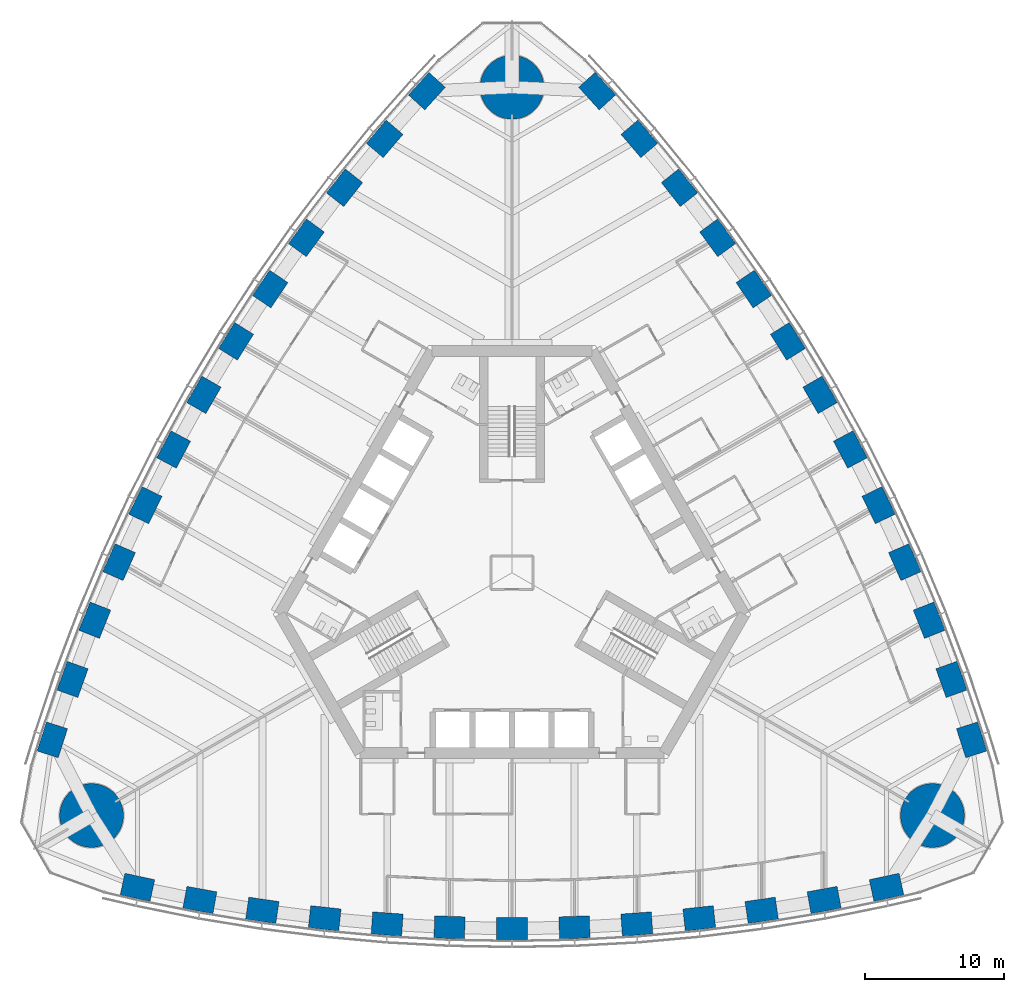
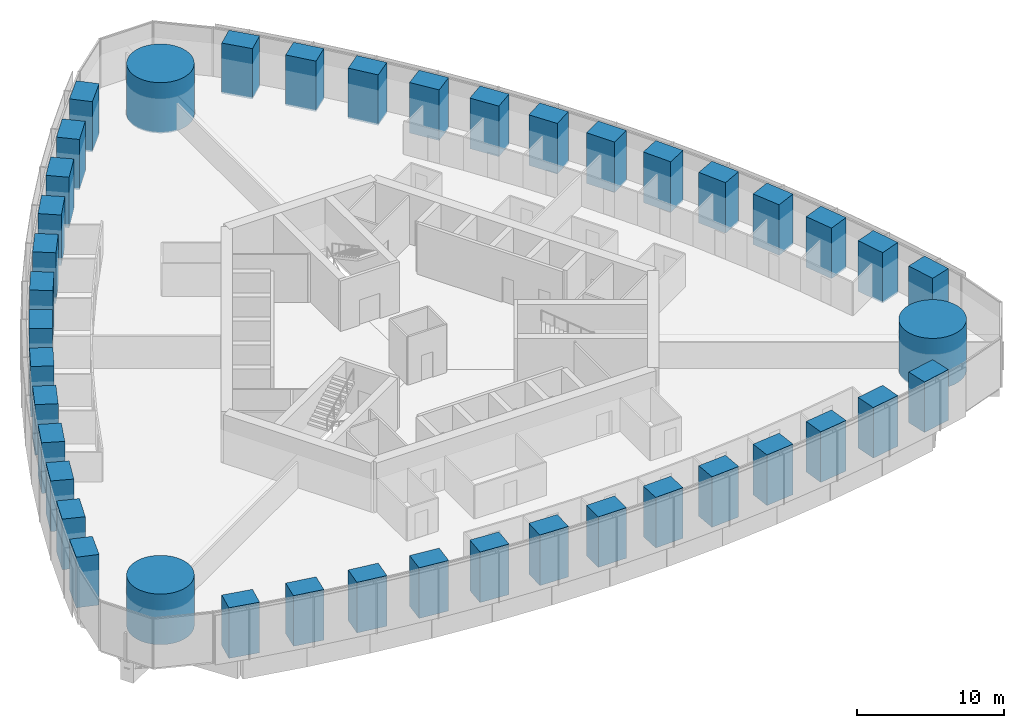
# One storey, part 1 of 19: 42 columns.
"""IFC4 building model written with IfcOpenShell, lengths in metres."""

from ifc_helpers import new_model, si_unit, direction, frame, origin, origin_2d, place, context, subcontext, project, spatial, rectangle, circle, extrude, material, material_profile, profile_set, type_object, element, save


model = new_model("IFC4")

# Units and contexts
model_context = context("Model", 3, precision=1e-05, world=origin(), true_north=direction((0.0, 1.0)))
body_context = subcontext(model_context, "Body", "Model", "MODEL_VIEW")
ifc_project = project(units=[si_unit("LENGTHUNIT", "METRE"), si_unit("AREAUNIT", "SQUARE_METRE"), si_unit("VOLUMEUNIT", "CUBIC_METRE"), si_unit("PLANEANGLEUNIT", "RADIAN"), si_unit("MASSUNIT", "GRAM", prefix="KILO")], contexts=[model_context])

# Site, building, storey
site_placement = place(None, origin())
site = spatial("IfcSite", under=ifc_project, at=site_placement, CompositionType="ELEMENT")
building_placement = place(site_placement, origin())
building = spatial("IfcBuilding", under=site, at=building_placement, Name="Trefoil Bronze Tower", CompositionType="ELEMENT")
storey_placement = place(building_placement, frame((0.0, 0.0, 107.300048828125)))
storey = spatial("IfcBuildingStorey", under=building, at=storey_placement, Name="L24", CompositionType="ELEMENT", Elevation=107.300048828125)

# Columns
ifc_material_1 = material(Name="Concrete B80", Category="concrete")
ifc_material_profile_1 = material_profile(ifc_material_1, circle(Radius=2.300048828125, at=origin_2d()), Name="RC D4600")
ifc_profile_set_1 = profile_set([ifc_material_profile_1], Name="Concrete B80")
column_type_1 = type_object("IfcColumnType", Name="Mega column RC D4600", PredefinedType="COLUMN", material=ifc_profile_set_1)
for number, where, z_axis, x_axis, name in (
    (1, (30.310791015625, -17.5, 0.0), (0.0, 0.0, 1.0), (1.0, 0.0, 0.0), "Mega column K1 L24"),
    (2, (0.0, 35.0, 0.0), (0.0, 0.0, 1.0), (1.0, 0.0, 0.0), "Mega column K2 L24"),
    (3, (-30.310791015625, -17.5, 0.0), (0.0, 0.0, 1.0), (1.0, 0.0, 0.0), "Mega column K3 L24"),
):
    element("IfcColumn", number, at=place(storey_placement, frame(where, z_axis=z_axis, x_axis=x_axis)), inside=storey, type_object=column_type_1, Name=name, PredefinedType="COLUMN", context=body_context, shape_type="SweptSolid", body=[
        extrude(circle(Radius=2.300048828125, at=origin_2d()), origin(), (0.0, 0.0, 1.0), 4.199951171875),
    ])
ifc_material_2 = material(Name="Concrete B80", Category="concrete")
ifc_material_profile_2 = material_profile(ifc_material_2, rectangle(XDim=2.199951171875, YDim=1.60009765625, at=origin_2d()), Name="RC 2200x1600")
ifc_profile_set_2 = profile_set([ifc_material_profile_2], Name="Concrete B80")
column_type_2 = type_object("IfcColumnType", Name="Tube column RC 2200x1600", PredefinedType="COLUMN", material=ifc_profile_set_2)
for number, where, z_axis, x_axis, name in (
    (4, (-27.0, -22.67724609375, 0.0), (0.0, 0.0, 1.0), (0.977276081214, -0.21197042503, 0.0), "Tube column F1/-6 L24"),
    (5, (-22.5, -23.592529296875, 0.0), (0.0, 0.0, 1.0), (0.98362250613, -0.180240853954, 0.0), "Tube column F1/-5 L24"),
    (6, (-18.0, -24.337158203125, 0.0), (0.0, 0.0, 1.0), (0.989549714366, -0.144192103798, 0.0), "Tube column F1/-4 L24"),
    (7, (-13.5, -24.9130859375, 0.0), (0.0, 0.0, 1.0), (0.994135267447, -0.108143747013, 0.0), "Tube column F1/-3 L24"),
    (8, (-9.0, -25.32275390625, 0.0), (0.0, 0.0, 1.0), (0.997397720802, -0.072095676284, 0.0), "Tube column F1/-2 L24"),
    (9, (-4.5, -25.568115234375, 0.0), (0.0, 0.0, 1.0), (0.999350067136, -0.036047792107, 0.0), "Tube column F1/-1 L24"),
    (10, (0.0, -25.649658203125, 0.0), (0.0, 0.0, 1.0), (1.0, 0.0, 0.0), "Tube column F1/+0 L24"),
    (11, (4.5, -25.568115234375, 0.0), (0.0, 0.0, 1.0), (0.999350067136, 0.036047792107, 0.0), "Tube column F1/+1 L24"),
    (12, (9.0, -25.32275390625, 0.0), (0.0, 0.0, 1.0), (0.997397720802, 0.072095676284, 0.0), "Tube column F1/+2 L24"),
    (13, (13.5, -24.9130859375, 0.0), (0.0, 0.0, 1.0), (0.994135267447, 0.108143747013, 0.0), "Tube column F1/+3 L24"),
    (14, (18.0, -24.337158203125, 0.0), (0.0, 0.0, 1.0), (0.989549714366, 0.144192103798, 0.0), "Tube column F1/+4 L24"),
    (15, (22.5, -23.592529296875, 0.0), (0.0, 0.0, 1.0), (0.98362250613, 0.180240853954, 0.0), "Tube column F1/+5 L24"),
    (16, (27.0, -22.67724609375, 0.0), (0.0, 0.0, 1.0), (0.977276081214, 0.21197042503, 0.0), "Tube column F1/+6 L24"),
    (17, (33.13916015625, -12.044189453125, 0.0), (0.0, 0.0, 1.0), (-0.30506626768, 0.952331125357, 0.0), "Tube column F2/-6 L24"),
    (18, (31.681884765625, -7.689208984375, 0.0), (0.0, 0.0, 1.0), (-0.335718094742, 0.94196250502, 0.0), "Tube column F2/-5 L24"),
    (19, (30.07666015625, -3.419921875, 0.0), (0.0, 0.0, 1.0), (-0.369900832269, 0.929071242848, 0.0), "Tube column F2/-4 L24"),
    (20, (28.325439453125, 0.76513671875, 0.0), (0.0, 0.0, 1.0), (-0.40341240155, 0.915018269914, 0.0), "Tube column F2/-3 L24"),
    (21, (26.43017578125, 4.8671875, 0.0), (0.0, 0.0, 1.0), (-0.436262173236, 0.899819602033, 0.0), "Tube column F2/-2 L24"),
    (22, (24.392578125, 8.886962890625, 0.0), (0.0, 0.0, 1.0), (-0.468456729853, 0.883486441467, 0.0), "Tube column F2/-1 L24"),
    (23, (22.21337890625, 12.824951171875, 0.0), (0.0, 0.0, 1.0), (-0.5, 0.866025403784, 0.0), "Tube column F2/+0 L24"),
    (24, (19.892578125, 16.68115234375, 0.0), (0.0, 0.0, 1.0), (-0.530893337283, 0.84743864936, 0.0), "Tube column F2/+1 L24"),
    (25, (17.43017578125, 20.45556640625, 0.0), (0.0, 0.0, 1.0), (-0.561135547566, 0.827723925749, 0.0), "Tube column F2/+2 L24"),
    (26, (14.825439453125, 24.14794921875, 0.0), (0.0, 0.0, 1.0), (-0.590722865897, 0.806874522901, 0.0), "Tube column F2/+3 L24"),
    (27, (12.07666015625, 27.757080078125, 0.0), (0.0, 0.0, 1.0), (-0.619648882098, 0.78487913905, 0.0), "Tube column F2/+4 L24"),
    (28, (9.181884765625, 31.281982421875, 0.0), (0.0, 0.0, 1.0), (-0.647904411389, 0.761721651066, 0.0), "Tube column F2/+5 L24"),
    (29, (6.13916015625, 34.72119140625, 0.0), (0.0, 0.0, 1.0), (-0.672209813534, 0.740360700327, 0.0), "Tube column F2/+6 L24"),
    (30, (-6.13916015625, 34.72119140625, 0.0), (0.0, 0.0, 1.0), (-0.672209813534, -0.740360700327, 0.0), "Tube column F3/-6 L24"),
    (31, (-9.181884765625, 31.281982421875, 0.0), (0.0, 0.0, 1.0), (-0.647904411389, -0.761721651066, 0.0), "Tube column F3/-5 L24"),
    (32, (-12.07666015625, 27.757080078125, 0.0), (0.0, 0.0, 1.0), (-0.619648882098, -0.78487913905, 0.0), "Tube column F3/-4 L24"),
    (33, (-14.825439453125, 24.14794921875, 0.0), (0.0, 0.0, 1.0), (-0.590722865897, -0.806874522901, 0.0), "Tube column F3/-3 L24"),
    (34, (-17.43017578125, 20.45556640625, 0.0), (0.0, 0.0, 1.0), (-0.561135547566, -0.827723925749, 0.0), "Tube column F3/-2 L24"),
    (35, (-19.892578125, 16.68115234375, 0.0), (0.0, 0.0, 1.0), (-0.530893337283, -0.84743864936, 0.0), "Tube column F3/-1 L24"),
    (36, (-22.21337890625, 12.824951171875, 0.0), (0.0, 0.0, 1.0), (-0.5, -0.866025403784, 0.0), "Tube column F3/+0 L24"),
    (37, (-24.392578125, 8.886962890625, 0.0), (0.0, 0.0, 1.0), (-0.468456729853, -0.883486441467, 0.0), "Tube column F3/+1 L24"),
    (38, (-26.43017578125, 4.8671875, 0.0), (0.0, 0.0, 1.0), (-0.436262173236, -0.899819602033, 0.0), "Tube column F3/+2 L24"),
    (39, (-28.325439453125, 0.76513671875, 0.0), (0.0, 0.0, 1.0), (-0.40341240155, -0.915018269914, 0.0), "Tube column F3/+3 L24"),
    (40, (-30.07666015625, -3.419921875, 0.0), (0.0, 0.0, 1.0), (-0.369900832269, -0.929071242848, 0.0), "Tube column F3/+4 L24"),
    (41, (-31.681884765625, -7.689208984375, 0.0), (0.0, 0.0, 1.0), (-0.335718094742, -0.94196250502, 0.0), "Tube column F3/+5 L24"),
    (42, (-33.13916015625, -12.044189453125, 0.0), (0.0, 0.0, 1.0), (-0.30506626768, -0.952331125357, 0.0), "Tube column F3/+6 L24"),
):
    element("IfcColumn", number, at=place(storey_placement, frame(where, z_axis=z_axis, x_axis=x_axis)), inside=storey, type_object=column_type_2, Name=name, PredefinedType="COLUMN", context=body_context, shape_type="SweptSolid", body=[
        extrude(rectangle(XDim=2.199951171875, YDim=1.60009765625, at=origin_2d()), origin(), (0.0, 0.0, 1.0), 4.199951171875),
    ])

save(model, "model.ifc")
